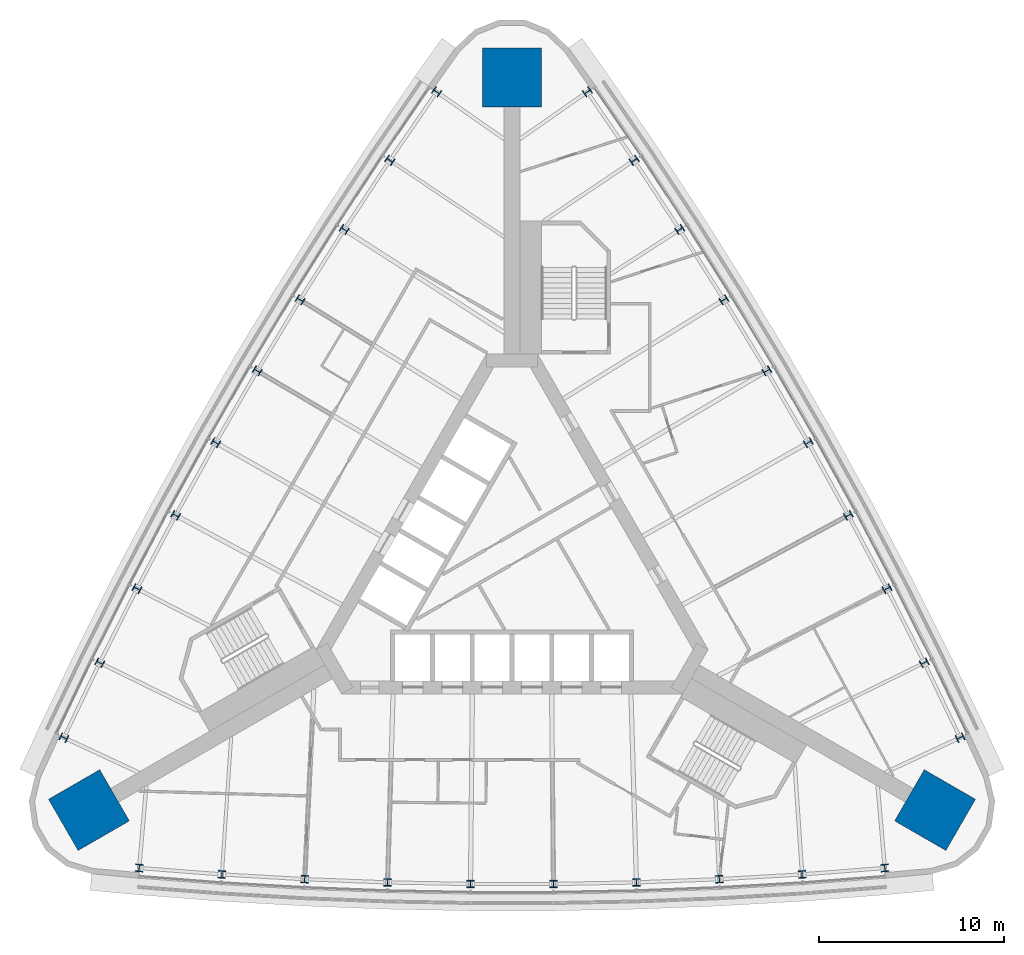
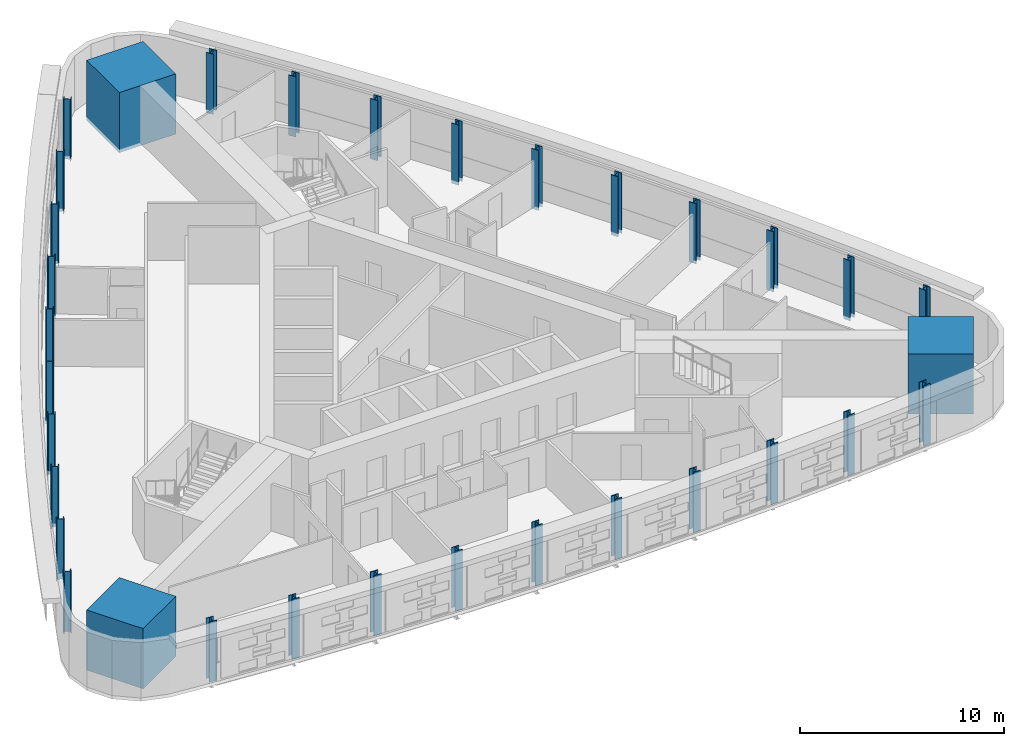
# One storey, part 1 of 14: 33 columns.
"""IFC4 building model written with IfcOpenShell, lengths in metres."""

from ifc_helpers import new_model, si_unit, direction, frame, origin, origin_2d, place, context, subcontext, project, spatial, rectangle, i_section, extrude, material, material_profile, profile_set, type_object, element, save


model = new_model("IFC4")

# Units and contexts
model_context = context("Model", 3, precision=1e-05, world=origin(), true_north=direction((0.0, 1.0)))
body_context = subcontext(model_context, "Body", "Model", "MODEL_VIEW")
ifc_project = project(units=[si_unit("LENGTHUNIT", "METRE"), si_unit("AREAUNIT", "SQUARE_METRE"), si_unit("VOLUMEUNIT", "CUBIC_METRE"), si_unit("PLANEANGLEUNIT", "RADIAN"), si_unit("MASSUNIT", "GRAM", prefix="KILO")], contexts=[model_context])

# Site, building, storey
site_placement = place(None, origin())
site = spatial("IfcSite", under=ifc_project, at=site_placement, CompositionType="ELEMENT")
building_placement = place(site_placement, origin())
building = spatial("IfcBuilding", under=site, at=building_placement, Name="Noor Cloister Tower", CompositionType="ELEMENT")
storey_placement = place(building_placement, frame((0.0, 0.0, 76.199951171875)))
storey = spatial("IfcBuildingStorey", under=building, at=storey_placement, Name="L19", CompositionType="ELEMENT", Elevation=76.199951171875)

# Columns
ifc_material_1 = material(Name="Steel ASTM A992 Gr 50", Category="steel")
ifc_material_profile_1 = material_profile(ifc_material_1, i_section(OverallWidth=0.404052734375, OverallDepth=0.406005859375, WebThickness=0.027099609375, FlangeThickness=0.043701171875, FilletRadius=0.01513671875, at=origin_2d()), Name="W360x347")
ifc_profile_set_1 = profile_set([ifc_material_profile_1], Name="Steel ASTM A992 Gr 50")
column_type_1 = type_object("IfcColumnType", Name="Column W360x347", PredefinedType="COLUMN", material=ifc_profile_set_1)
for number, where, z_axis, x_axis, name in (
    (1, (-4.073486328125, 25.650146484375, -0.199951171875), (0.0, 0.0, 1.0), (-0.573206850439, -0.819410706917, 0.0), "Column NW 01 L19"),
    (2, (-6.611328125, 21.94677734375, -0.199951171875), (0.0, 0.0, 1.0), (-0.557292844924, -0.830316015139, 0.0), "Column NW 02 L19"),
    (3, (-9.076904296875, 18.1953125, -0.199951171875), (0.0, 0.0, 1.0), (-0.541171425422, -0.840912295252, 0.0), "Column NW 03 L19"),
    (4, (-11.469970703125, 14.39697265625, -0.199951171875), (0.0, 0.0, 1.0), (-0.524848592026, -0.851195603518, 0.0), "Column NW 04 L19"),
    (5, (-13.789306640625, 10.55322265625, -0.199951171875), (0.0, 0.0, 1.0), (-0.508330419788, -0.861162112681, 0.0), "Column NW 05 L19"),
    (6, (-16.033935546875, 6.665283203125, -0.199951171875), (0.0, 0.0, 1.0), (-0.491623056465, -0.870808113394, 0.0), "Column NW 06 L19"),
    (7, (-18.203125, 2.73486328125, -0.199951171875), (0.0, 0.0, 1.0), (-0.474732720223, -0.880130015594, 0.0), "Column NW 07 L19"),
    (8, (-20.296142578125, -1.23681640625, -0.199951171875), (0.0, 0.0, 1.0), (-0.457665697332, -0.889124349844, 0.0), "Column NW 08 L19"),
    (9, (-22.31201171875, -5.248046875, -0.199951171875), (0.0, 0.0, 1.0), (-0.440428339818, -0.897787768621, 0.0), "Column NW 09 L19"),
    (10, (-24.25048828125, -9.29736328125, -0.199951171875), (0.0, 0.0, 1.0), (-0.423027063103, -0.906117047562, 0.0), "Column NW 10 L19"),
    (11, (-20.177001953125, -16.352783203125, -0.199951171875), (0.0, 0.0, 1.0), (0.996233913542, -0.086706340645, 0.0), "Column S 01 L19"),
    (12, (-15.700927734375, -16.698974609375, -0.199951171875), (0.0, 0.0, 1.0), (0.997721184742, -0.067471753482, 0.0), "Column S 02 L19"),
    (13, (-11.21923828125, -16.95849609375, -0.199951171875), (0.0, 0.0, 1.0), (0.998837122754, -0.048212054592, 0.0), "Column S 03 L19"),
    (14, (-6.733154296875, -17.1318359375, -0.199951171875), (0.0, 0.0, 1.0), (0.999581312249, -0.028934412076, 0.0), "Column S 04 L19"),
    (15, (-2.24462890625, -17.21826171875, -0.199951171875), (0.0, 0.0, 1.0), (0.999953476253, -0.009646000712, 0.0), "Column S 05 L19"),
    (16, (2.24462890625, -17.21826171875, -0.199951171875), (0.0, 0.0, 1.0), (0.999953476253, 0.009646000712, 0.0), "Column S 06 L19"),
    (17, (6.733154296875, -17.1318359375, -0.199951171875), (0.0, 0.0, 1.0), (0.999581312249, 0.028934412076, 0.0), "Column S 07 L19"),
    (18, (11.21923828125, -16.95849609375, -0.199951171875), (0.0, 0.0, 1.0), (0.998837122754, 0.048212054592, 0.0), "Column S 08 L19"),
    (19, (15.700927734375, -16.698974609375, -0.199951171875), (0.0, 0.0, 1.0), (0.997721184742, 0.067471753482, 0.0), "Column S 09 L19"),
    (20, (20.177001953125, -16.352783203125, -0.199951171875), (0.0, 0.0, 1.0), (0.996233913542, 0.086706340645, 0.0), "Column S 10 L19"),
    (21, (24.25048828125, -9.29736328125, -0.199951171875), (0.0, 0.0, 1.0), (-0.423027063103, 0.906117047562, 0.0), "Column NE 01 L19"),
    (22, (22.31201171875, -5.248046875, -0.199951171875), (0.0, 0.0, 1.0), (-0.440428339818, 0.897787768621, 0.0), "Column NE 02 L19"),
    (23, (20.296142578125, -1.23681640625, -0.199951171875), (0.0, 0.0, 1.0), (-0.457665697332, 0.889124349844, 0.0), "Column NE 03 L19"),
    (24, (18.203125, 2.73486328125, -0.199951171875), (0.0, 0.0, 1.0), (-0.474732720223, 0.880130015594, 0.0), "Column NE 04 L19"),
    (25, (16.033935546875, 6.665283203125, -0.199951171875), (0.0, 0.0, 1.0), (-0.491623056465, 0.870808113394, 0.0), "Column NE 05 L19"),
    (26, (13.789306640625, 10.55322265625, -0.199951171875), (0.0, 0.0, 1.0), (-0.508330419788, 0.861162112681, 0.0), "Column NE 06 L19"),
    (27, (11.469970703125, 14.39697265625, -0.199951171875), (0.0, 0.0, 1.0), (-0.524848592026, 0.851195603518, 0.0), "Column NE 07 L19"),
    (28, (9.076904296875, 18.1953125, -0.199951171875), (0.0, 0.0, 1.0), (-0.541171425422, 0.840912295252, 0.0), "Column NE 08 L19"),
    (29, (6.611328125, 21.94677734375, -0.199951171875), (0.0, 0.0, 1.0), (-0.557292844924, 0.830316015139, 0.0), "Column NE 09 L19"),
    (30, (4.073486328125, 25.650146484375, -0.199951171875), (0.0, 0.0, 1.0), (-0.573206850439, 0.819410706917, 0.0), "Column NE 10 L19"),
):
    element("IfcColumn", number, at=place(storey_placement, frame(where, z_axis=z_axis, x_axis=x_axis)), inside=storey, type_object=column_type_1, Name=name, PredefinedType="COLUMN", context=body_context, shape_type="SweptSolid", body=[
        extrude(i_section(OverallWidth=0.404052734375, OverallDepth=0.406005859375, WebThickness=0.027099609375, FlangeThickness=0.043701171875, FilletRadius=0.01513671875, at=origin_2d()), origin(), (0.0, 0.0, 1.0), 3.60009765625),
    ])
ifc_material_2 = material(Name="Concrete C80/95", Category="concrete")
ifc_material_profile_2 = material_profile(ifc_material_2, rectangle(XDim=3.199951171875, YDim=3.199951171875, at=origin_2d()), Name="RC 3200x3200")
ifc_profile_set_2 = profile_set([ifc_material_profile_2], Name="Concrete C80/95")
column_type_2 = type_object("IfcColumnType", Name="Corner pier 3200 x 3200 C80/95", PredefinedType="COLUMN", material=ifc_profile_set_2)
for number, where, z_axis, x_axis, name in (
    (31, (0.0, 26.43798828125, -0.199951171875), (0.0, 0.0, 1.0), (0.0, 1.0, 0.0), "Corner pier N L19"),
    (32, (-22.89599609375, -13.218994140625, -0.199951171875), (0.0, 0.0, 1.0), (-0.866025403784, -0.5, 0.0), "Corner pier SW L19"),
    (33, (22.89599609375, -13.218994140625, -0.199951171875), (0.0, 0.0, 1.0), (0.866025403784, -0.5, 0.0), "Corner pier SE L19"),
):
    element("IfcColumn", number, at=place(storey_placement, frame(where, z_axis=z_axis, x_axis=x_axis)), inside=storey, type_object=column_type_2, Name=name, PredefinedType="COLUMN", context=body_context, shape_type="SweptSolid", body=[
        extrude(rectangle(XDim=3.199951171875, YDim=3.199951171875, at=origin_2d()), origin(), (0.0, 0.0, 1.0), 3.60009765625),
    ])

save(model, "model.ifc")
